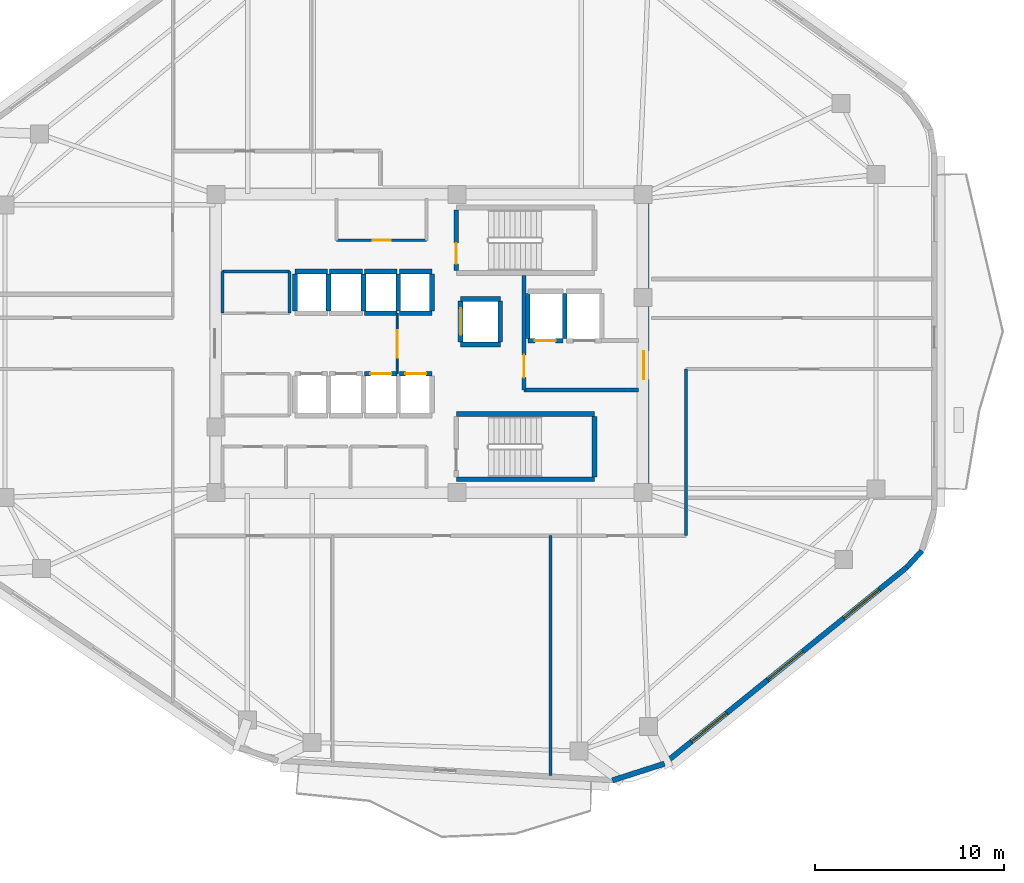
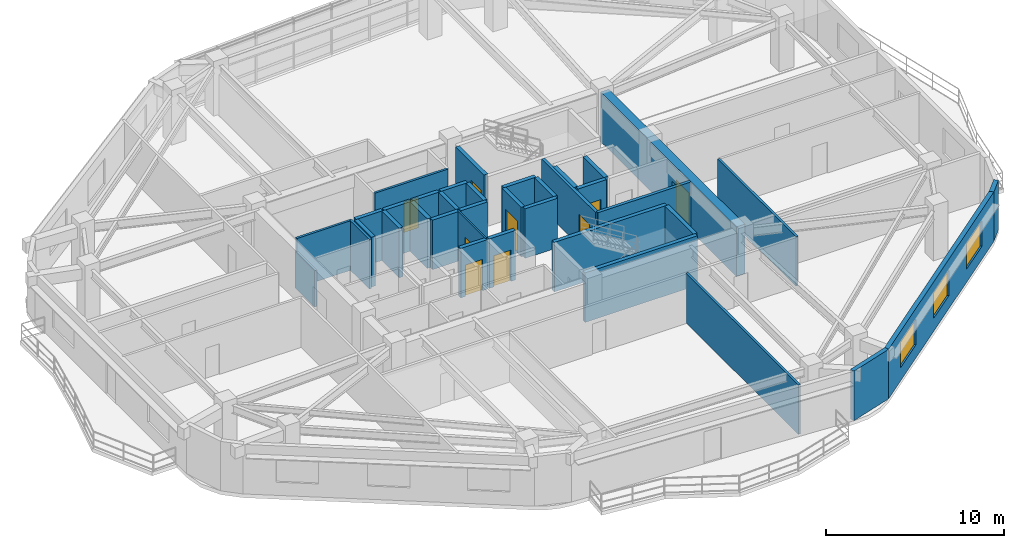
# One storey, part 9 of 14: 37 walls, 9 doors, 3 windows, 12 openings.
"""IFC4 building model written with IfcOpenShell, lengths in metres."""

import ifcopenshell
import ifcopenshell.guid

model = None  # the IFC model being written
_history = None  # IfcOwnerHistory: only IFC2X3 demands one
_inside = {}  # id of a spatial element -> (the spatial element, [elements in it])
_under = {}  # id of a project, library or spatial element -> (it, [spatial elements below it])
_declared = {}  # id of a project -> (the project, [libraries it declares])
_typed = {}  # id of a type object -> (the type object, [elements of that type])
_made_of = {}  # id of a material, layer set ... -> (it, [elements and type objects made of it])


def new_model(schema):
    """Start an empty IFC model of exactly this schema.

    Asked for "IFC4X3", IfcOpenShell would pick the latest addendum, in which some entities
    have other attributes; the version numbers below select the first issue.
    IFC2X3 requires an IfcOwnerHistory on every rooted entity: one is made here for all.
    """
    global model, _history
    if schema == "IFC4X3":
        model = ifcopenshell.file(schema_version=(4, 3, 0, 0))
    else:
        model = ifcopenshell.file(schema=schema)
    _inside.clear()
    _under.clear()
    _declared.clear()
    _typed.clear()
    _made_of.clear()
    _history = None
    if model.schema == "IFC2X3":
        org = make("IfcOrganization", Name="unknown")
        user = make(
            "IfcPersonAndOrganization",
            ThePerson=make("IfcPerson", FamilyName="unknown"),
            TheOrganization=org,
        )
        app = make(
            "IfcApplication",
            ApplicationDeveloper=org,
            Version="unknown",
            ApplicationFullName="unknown",
            ApplicationIdentifier="unknown",
        )
        _history = make(
            "IfcOwnerHistory",
            OwningUser=user,
            OwningApplication=app,
            ChangeAction="ADDED",
            CreationDate=0,
        )
    return model


def make(cls, **values):
    """One entity of the class cls with the attributes given. An attribute that is None is left unset."""
    return model.create_entity(
        cls, **{name: value for name, value in values.items() if value is not None}
    )


def rooted(cls, **values):
    """An entity with a GlobalId (a new one), such as an element, a storey or a relation."""
    return make(cls, GlobalId=ifcopenshell.guid.new(), OwnerHistory=_history, **values)


def si_unit(unit_type, name, prefix=None):
    """IfcSIUnit, for example si_unit("LENGTHUNIT", "METRE", prefix="MILLI")."""
    return make("IfcSIUnit", UnitType=unit_type, Prefix=prefix, Name=name)


def assignment(units):
    """IfcUnitAssignment: the units of a project."""
    return None if units is None else make("IfcUnitAssignment", Units=units)


def point(xyz):
    """IfcCartesianPoint."""
    return None if xyz is None else make("IfcCartesianPoint", Coordinates=xyz)


def direction(xyz):
    """IfcDirection."""
    return None if xyz is None else make("IfcDirection", DirectionRatios=xyz)


def frame(location, z_axis=None, x_axis=None):
    """IfcAxis2Placement3D, a coordinate frame: its origin and axes. An axis left out is left unset."""
    return make(
        "IfcAxis2Placement3D",
        Location=point(location),
        Axis=direction(z_axis),
        RefDirection=direction(x_axis),
    )


def frame_2d(location, x_axis=None):
    """IfcAxis2Placement2D, a coordinate frame in the plane: its origin and x axis."""
    return make(
        "IfcAxis2Placement2D", Location=point(location), RefDirection=direction(x_axis)
    )


def origin():
    """The frame at (0, 0, 0) with its axes left unset."""
    return frame((0.0, 0.0, 0.0))


def place(relative_to, where):
    """IfcLocalPlacement: puts the frame where relative to a parent placement (None: the world)."""
    return make(
        "IfcLocalPlacement", PlacementRelTo=relative_to, RelativePlacement=where
    )


def context(
    kind, dimensions, precision=None, world=None, true_north=None, identifier=None
):
    """IfcGeometricRepresentationContext, for example the 3D "Model" context."""
    return make(
        "IfcGeometricRepresentationContext",
        ContextIdentifier=identifier,
        ContextType=kind,
        CoordinateSpaceDimension=dimensions,
        Precision=precision,
        WorldCoordinateSystem=world,
        TrueNorth=true_north,
    )


def subcontext(parent, identifier, kind, view, scale=None):
    """IfcGeometricRepresentationSubContext, for example "Body" below "Model"."""
    return make(
        "IfcGeometricRepresentationSubContext",
        ContextIdentifier=identifier,
        ContextType=kind,
        ParentContext=parent,
        TargetScale=scale,
        TargetView=view,
    )


def project(units=None, contexts=None):
    """IfcProject with its units and contexts."""
    return rooted(
        "IfcProject",
        Name="project",
        RepresentationContexts=contexts,
        UnitsInContext=assignment(units),
    )


def spatial(cls, under=None, at=None, **own):
    """A site, building, storey or space (cls), placed at a placement, below another one or the project."""
    s = rooted(cls, ObjectPlacement=at, **own)
    if under is not None:
        _under.setdefault(under.id(), (under, []))[1].append(s)
    return s


def profile(cls, at=None, kind="AREA", **sizes):
    """A parametric profile (cls). Its sizes go by their IFC names, for example OverallWidth=200.0."""
    return make(cls, ProfileType=kind, Position=at, **sizes)


def rectangle(**sizes):
    """IfcRectangleProfileDef."""
    return profile("IfcRectangleProfileDef", **sizes)


def extrude(swept, where, along, depth):
    """IfcExtrudedAreaSolid: the profile swept, set in the frame where, extruded along a direction by depth."""
    return make(
        "IfcExtrudedAreaSolid",
        SweptArea=swept,
        Position=where,
        ExtrudedDirection=direction(along),
        Depth=depth,
    )


def shape(context_of_items, identifier, shape_type, items):
    """IfcShapeRepresentation: the items that make up one representation, for example the "Body"."""
    return make(
        "IfcShapeRepresentation",
        ContextOfItems=context_of_items,
        RepresentationIdentifier=identifier,
        RepresentationType=shape_type,
        Items=items,
    )


def material(Name=None, Category=None):
    """IfcMaterial."""
    return make("IfcMaterial", Name=Name, Category=Category)


def layer(
    of_material, thickness, ventilated=None, Name=None, Category=None, Priority=None
):
    """IfcMaterialLayer: one layer of a wall or slab, of a material (None: an air gap)."""
    return make(
        "IfcMaterialLayer",
        Material=of_material,
        LayerThickness=thickness,
        IsVentilated=ventilated,
        Name=Name,
        Category=Category,
        Priority=Priority,
    )


def layer_set(layers, Name=None):
    """IfcMaterialLayerSet."""
    return make("IfcMaterialLayerSet", MaterialLayers=layers, LayerSetName=Name)


def made_of(thing, what):
    """Note that an element or type object is made of a material, layer set ...; save() writes the relation."""
    if what is not None:
        _made_of.setdefault(what.id(), (what, []))[1].append(thing)
    return thing


def type_object(cls, material=None, **own):
    """A type object (cls), such as IfcWallType, which elements share."""
    return made_of(rooted(cls, **own), material)


def element(
    cls,
    number,
    at=None,
    inside=None,
    cuts=None,
    type_object=None,
    material=None,
    context=None,
    identifier="Body",
    shape_type=None,
    held_by="IfcProductDefinitionShape",
    body=None,
    shapes=None,
    **own,
):
    """One element of the class cls, such as IfcWall. Its Tag is "e" and its number.

    at: its placement. inside: the storey or other place that contains it. cuts: it is an
    opening in that element (IfcRelVoidsElement). A single representation is given by context,
    identifier, shape_type and body (its items); several are given by shapes. held_by: the class
    of the entity that holds the representations. save() writes the other relations.
    """
    e = rooted(cls, Tag="e%d" % number, ObjectPlacement=at, **own)
    if body is not None:
        shapes = [shape(context, identifier, shape_type, body)]
    if shapes is not None:
        e.Representation = make(held_by, Representations=shapes)
    if inside is not None:
        _inside.setdefault(inside.id(), (inside, []))[1].append(e)
    if cuts is not None:
        rooted(
            "IfcRelVoidsElement", RelatingBuildingElement=cuts, RelatedOpeningElement=e
        )
    if type_object is not None:
        _typed.setdefault(type_object.id(), (type_object, []))[1].append(e)
    return made_of(e, material)


def fill(opening, filler):
    """IfcRelFillsElement: the door or window that sits in an opening."""
    return rooted(
        "IfcRelFillsElement",
        RelatingOpeningElement=opening,
        RelatedBuildingElement=filler,
    )


def aggregate(whole, parts):
    """IfcRelAggregates: a whole, such as a stair, and the parts it consists of."""
    return rooted("IfcRelAggregates", RelatingObject=whole, RelatedObjects=parts)


def save(model, path):
    """Write the relations noted so far, then the file.

    IfcRelAggregates (storeys below a building ...), IfcRelContainedInSpatialStructure (elements
    in a storey), IfcRelDefinesByType, IfcRelAssociatesMaterial and IfcRelDeclares: one each for
    every whole, place, type object, material and project.
    """
    for whole, parts in _under.values():
        aggregate(whole, parts)
    for where, things in _inside.values():
        rooted(
            "IfcRelContainedInSpatialStructure",
            RelatedElements=things,
            RelatingStructure=where,
        )
    for kind, things in _typed.values():
        rooted("IfcRelDefinesByType", RelatedObjects=things, RelatingType=kind)
    for what, things in _made_of.values():
        rooted("IfcRelAssociatesMaterial", RelatedObjects=things, RelatingMaterial=what)
    for by, libraries in _declared.values():
        rooted("IfcRelDeclares", RelatingContext=by, RelatedDefinitions=libraries)
    model.write(path)


model = new_model("IFC4")

# Units and contexts
model_context = context("Model", 3, precision=1e-05, world=origin(), true_north=direction((0.0, 1.0)))
body_context = subcontext(model_context, "Body", "Model", "MODEL_VIEW")
ifc_project = project(units=[si_unit("LENGTHUNIT", "METRE"), si_unit("AREAUNIT", "SQUARE_METRE"), si_unit("VOLUMEUNIT", "CUBIC_METRE"), si_unit("PLANEANGLEUNIT", "RADIAN"), si_unit("MASSUNIT", "GRAM", prefix="KILO")], contexts=[model_context])

# Site, building, storey
site_placement = place(None, origin())
site = spatial("IfcSite", under=ifc_project, at=site_placement, CompositionType="ELEMENT")
building_placement = place(site_placement, origin())
building = spatial("IfcBuilding", under=site, at=building_placement, Name="Zulverin Broadcast Headquarters", CompositionType="ELEMENT")
storey_placement = place(building_placement, frame((0.0, 0.0, 216.199951171875)))
storey = spatial("IfcBuildingStorey", under=building, at=storey_placement, Name="L55", CompositionType="ELEMENT", Elevation=216.199951171875)

# Wall, opening, door
ifc_material_1 = material(Name="Concrete C60/75", Category="concrete")
ifc_layer_1 = layer(ifc_material_1, 0.550048828125, Name="Concrete C60/75", Category="concrete")
ifc_layer_set_1 = layer_set([ifc_layer_1], Name="Concrete C60/75")
wall_type_1 = type_object("IfcWallType", Name="WL-CORE-550", PredefinedType="SHEAR", material=ifc_layer_set_1)
wall_1_placement = place(storey_placement, frame((48.324951171875, 17.550048828125, 0.0), z_axis=(0.0, 0.0, 1.0), x_axis=(0.0, 1.0, 0.0)))
wall_1 = element("IfcWall", 1, at=wall_1_placement, inside=storey, type_object=wall_type_1, Name="L55 Core East Shear Wall", PredefinedType="SHEAR", context=body_context, shape_type="SweptSolid", body=[
    extrude(rectangle(XDim=15.300048828125, YDim=0.550048828125, at=frame_2d((7.64990234375, 0.0))), origin(), (0.0, 0.0, 1.0), 3.400146484375),
])
opening_1_placement = place(wall_1_placement, frame((5.75, 0.0, 0.0)))
opening_1 = element("IfcOpeningElement", 2, at=opening_1_placement, cuts=wall_1, Name="Opening D-L55-CE1", PredefinedType="OPENING", context=body_context, shape_type="SweptSolid", body=[
    extrude(rectangle(XDim=1.5, YDim=2.14990234375, at=frame_2d((0.75, 1.074951171875))), frame((0.0, 0.284912109375, 0.0), z_axis=(0.0, -1.0, 0.0), x_axis=(1.0, 0.0, 0.0)), (0.0, 0.0, 1.0), 0.570068359375),
])
ifc_material_2 = material(Name="Fire-rated glazed steel frame", Category="steel")
door_type_1 = type_object("IfcDoorType", Name="DR-COR-1500", OperationType="DOUBLE_DOOR_SINGLE_SWING", PredefinedType="DOOR", material=ifc_material_2)
door_1_placement = place(opening_1_placement, origin())
door_1 = element("IfcDoor", 3, at=door_1_placement, inside=storey, type_object=door_type_1, Name="L55 Firefighting Lobby East Corridor Door", OperationType="DOUBLE_DOOR_SINGLE_SWING", OverallHeight=2.14990234375, OverallWidth=1.5, PredefinedType="DOOR", context=body_context, shape_type="SweptSolid", body=[
    extrude(rectangle(XDim=1.5, YDim=2.14990234375, at=frame_2d((0.75, 1.074951171875))), frame((0.0, 0.02490234375, 0.0), z_axis=(0.0, -1.0, 0.0), x_axis=(1.0, 0.0, 0.0)), (0.0, 0.0, 1.0), 0.050048828125),
])
fill(opening_1, door_1)

# Wall, openings, windows
ifc_material_3 = material(Name="Insulated pale-metal clad concrete spandrel C40/50", Category="concrete")
ifc_layer_2 = layer(ifc_material_3, 0.280029296875, Name="Insulated pale-metal clad concrete spandrel C40/50", Category="concrete")
ifc_layer_set_2 = layer_set([ifc_layer_2], Name="Insulated pale-metal clad concrete spandrel C40/50")
wall_type_2 = type_object("IfcWallType", Name="WL-EXT-280", PredefinedType="STANDARD", material=ifc_layer_set_2)
wall_2_placement = place(storey_placement, frame((49.372314453125, 2.98388671875, 0.0), z_axis=(0.0, 0.0, 1.0), x_axis=(0.777278899851, 0.629156190343, 0.0)))
wall_2 = element("IfcWall", 4, at=wall_2_placement, inside=storey, type_object=wall_type_2, Name="L55 Pale-Metal Clad Spandrel Wall 2", PredefinedType="STANDARD", context=body_context, shape_type="SweptSolid", body=[
    extrude(rectangle(XDim=16.5400390625, YDim=0.280029296875, at=frame_2d((8.27001953125, 0.0))), origin(), (0.0, 0.0, 1.0), 3.400146484375),
])
opening_2_placement = place(wall_2_placement, frame((1.889892578125, 0.0, 0.89990234375)))
opening_2 = element("IfcOpeningElement", 5, at=opening_2_placement, cuts=wall_2, Name="Opening W-L55-E21", PredefinedType="OPENING", context=body_context, shape_type="SweptSolid", body=[
    extrude(rectangle(XDim=2.39990234375, YDim=1.75, at=frame_2d((1.199951171875, 0.875))), frame((0.0, 0.14990234375, 0.0), z_axis=(0.0, -1.0, 0.0), x_axis=(1.0, 0.0, 0.0)), (0.0, 0.0, 1.0), 0.300048828125),
])
opening_3_placement = place(wall_2_placement, frame((7.070068359375, 0.0, 0.89990234375)))
opening_3 = element("IfcOpeningElement", 6, at=opening_3_placement, cuts=wall_2, Name="Opening W-L55-E22", PredefinedType="OPENING", context=body_context, shape_type="SweptSolid", body=[
    extrude(rectangle(XDim=2.39990234375, YDim=1.75, at=frame_2d((1.199951171875, 0.875))), frame((0.0, 0.14990234375, 0.0), z_axis=(0.0, -1.0, 0.0), x_axis=(1.0, 0.0, 0.0)), (0.0, 0.0, 1.0), 0.300048828125),
])
opening_4_placement = place(wall_2_placement, frame((12.25, 0.0, 0.89990234375)))
opening_4 = element("IfcOpeningElement", 7, at=opening_4_placement, cuts=wall_2, Name="Opening W-L55-E23", PredefinedType="OPENING", context=body_context, shape_type="SweptSolid", body=[
    extrude(rectangle(XDim=2.39990234375, YDim=1.75, at=frame_2d((1.199951171875, 0.875))), frame((0.0, 0.14990234375, 0.0), z_axis=(0.0, -1.0, 0.0), x_axis=(1.0, 0.0, 0.0)), (0.0, 0.0, 1.0), 0.300048828125),
])
ifc_material_4 = material(Name="Pale anodized aluminium frame with solar-control low-E double glazing", Category="aluminium")
window_type = type_object("IfcWindowType", Name="WIN-RIB-2400", PartitioningType="SINGLE_PANEL", PredefinedType="WINDOW", material=ifc_material_4)
window_1_placement = place(opening_2_placement, origin())
window_1 = element("IfcWindow", 8, at=window_1_placement, inside=storey, type_object=window_type, Name="L55 Ribbon Glazing Window 2 1", OverallHeight=1.75, OverallWidth=2.39990234375, PartitioningType="SINGLE_PANEL", PredefinedType="WINDOW", context=body_context, shape_type="SweptSolid", body=[
    extrude(rectangle(XDim=2.39990234375, YDim=1.75, at=frame_2d((1.199951171875, 0.875))), frame((0.0, 0.030029296875, 0.0), z_axis=(0.0, -1.0, 0.0), x_axis=(1.0, 0.0, 0.0)), (0.0, 0.0, 1.0), 0.06005859375),
])
fill(opening_2, window_1)
window_2_placement = place(opening_3_placement, origin())
window_2 = element("IfcWindow", 9, at=window_2_placement, inside=storey, type_object=window_type, Name="L55 Ribbon Glazing Window 2 2", OverallHeight=1.75, OverallWidth=2.39990234375, PartitioningType="SINGLE_PANEL", PredefinedType="WINDOW", context=body_context, shape_type="SweptSolid", body=[
    extrude(rectangle(XDim=2.39990234375, YDim=1.75, at=frame_2d((1.199951171875, 0.875))), frame((0.0, 0.030029296875, 0.0), z_axis=(0.0, -1.0, 0.0), x_axis=(1.0, 0.0, 0.0)), (0.0, 0.0, 1.0), 0.06005859375),
])
fill(opening_3, window_2)
window_3_placement = place(opening_4_placement, origin())
window_3 = element("IfcWindow", 10, at=window_3_placement, inside=storey, type_object=window_type, Name="L55 Ribbon Glazing Window 2 3", OverallHeight=1.75, OverallWidth=2.39990234375, PartitioningType="SINGLE_PANEL", PredefinedType="WINDOW", context=body_context, shape_type="SweptSolid", body=[
    extrude(rectangle(XDim=2.39990234375, YDim=1.75, at=frame_2d((1.199951171875, 0.875))), frame((0.0, 0.030029296875, 0.0), z_axis=(0.0, -1.0, 0.0), x_axis=(1.0, 0.0, 0.0)), (0.0, 0.0, 1.0), 0.06005859375),
])
fill(opening_4, window_3)

# Walls
wall_3_placement = place(storey_placement, frame((46.666259765625, 2.124267578125, 0.0), z_axis=(0.0, 0.0, 1.0), x_axis=(0.952065470694, 0.305894327363, 0.0)))
element("IfcWall", 11, at=wall_3_placement, inside=storey, type_object=wall_type_2, Name="L55 Wind-Shaped Corner Spandrel Wall 1-1", PredefinedType="STANDARD", context=body_context, shape_type="SweptSolid", body=[
    extrude(rectangle(XDim=2.889892578125, YDim=0.280029296875, at=frame_2d((1.44482421875, 0.0))), origin(), (0.0, 0.0, 1.0), 3.400146484375),
])
wall_4_placement = place(storey_placement, frame((62.21337890625, 13.3759765625, 0.0), z_axis=(0.0, 0.0, 1.0), x_axis=(0.675790054291, 0.737094161232, 0.0)))
element("IfcWall", 12, at=wall_4_placement, inside=storey, type_object=wall_type_2, Name="L55 Wind-Shaped Corner Spandrel Wall 2-1", PredefinedType="STANDARD", context=body_context, shape_type="SweptSolid", body=[
    extrude(rectangle(XDim=1.182861328125, YDim=0.280029296875, at=frame_2d((0.59130859375, 0.0))), origin(), (0.0, 0.0, 1.0), 3.400146484375),
])

# Wall, opening, door
ifc_material_5 = material(Name="Concrete C40/50", Category="concrete")
ifc_layer_3 = layer(ifc_material_5, 0.199951171875, Name="Concrete C40/50", Category="concrete")
ifc_layer_set_3 = layer_set([ifc_layer_3], Name="Concrete C40/50")
wall_type_3 = type_object("IfcWallType", Name="WL-FFL-200", PredefinedType="SOLIDWALL", material=ifc_layer_set_3)
wall_5_placement = place(storey_placement, frame((42.0, 22.75, 0.0), z_axis=(0.0, 0.0, 1.0), x_axis=(0.0, 1.0, 0.0)))
wall_5 = element("IfcWall", 13, at=wall_5_placement, inside=storey, type_object=wall_type_3, Name="L55 Firefighting Lift Lobby West Wall", PredefinedType="SOLIDWALL", context=body_context, shape_type="SweptSolid", body=[
    extrude(rectangle(XDim=6.050048828125, YDim=0.199951171875, at=frame_2d((3.02490234375, 0.0))), origin(), (0.0, 0.0, 1.0), 3.400146484375),
])
opening_5_placement = place(wall_5_placement, frame((0.64990234375, 0.0, 0.0)))
opening_5 = element("IfcOpeningElement", 14, at=opening_5_placement, cuts=wall_5, Name="Opening D-L55-FFLW", PredefinedType="OPENING", context=body_context, shape_type="SweptSolid", body=[
    extrude(rectangle(XDim=1.199951171875, YDim=2.14990234375, at=frame_2d((0.60009765625, 1.074951171875))), frame((0.0, 0.10986328125, 0.0), z_axis=(0.0, -1.0, 0.0), x_axis=(1.0, 0.0, 0.0)), (0.0, 0.0, 1.0), 0.219970703125),
])
ifc_material_6 = material(Name="Fire-rated steel leaf and frame", Category="steel")
door_type_2 = type_object("IfcDoorType", Name="DR-FFL-1200", OperationType="SINGLE_SWING_RIGHT", PredefinedType="DOOR", material=ifc_material_6)
door_2_placement = place(opening_5_placement, origin())
door_2 = element("IfcDoor", 15, at=door_2_placement, inside=storey, type_object=door_type_2, Name="L55 Firefighting Lift Lobby Door", OperationType="SINGLE_SWING_RIGHT", OverallHeight=2.14990234375, OverallWidth=1.199951171875, PredefinedType="DOOR", context=body_context, shape_type="SweptSolid", body=[
    extrude(rectangle(XDim=1.199951171875, YDim=2.14990234375, at=frame_2d((0.60009765625, 1.074951171875))), frame((0.0, 0.02490234375, 0.0), z_axis=(0.0, -1.0, 0.0), x_axis=(1.0, 0.0, 0.0)), (0.0, 0.0, 1.0), 0.050048828125),
])
fill(opening_5, door_2)

# Wall
wall_6_placement = place(storey_placement, frame((42.0, 22.75, 0.0), z_axis=(0.0, 0.0, 1.0), x_axis=(1.0, 0.0, 0.0)))
element("IfcWall", 16, at=wall_6_placement, inside=storey, type_object=wall_type_3, Name="L55 Firefighting Lift Lobby South Wall", PredefinedType="SOLIDWALL", context=body_context, shape_type="SweptSolid", body=[
    extrude(rectangle(XDim=6.050048828125, YDim=0.199951171875, at=frame_2d((3.02490234375, 0.0))), origin(), (0.0, 0.0, 1.0), 3.400146484375),
])

# Wall, opening, door
ifc_material_7 = material(Name="Fire-rated acoustic laminated glass screen", Category="glass")
ifc_layer_4 = layer(ifc_material_7, 0.10009765625, Name="Fire-rated acoustic laminated glass screen", Category="glass")
ifc_layer_set_4 = layer_set([ifc_layer_4], Name="Fire-rated acoustic laminated glass screen")
wall_type_4 = type_object("IfcWallType", Name="WL-GLAZ-100", PredefinedType="PARTITIONING", material=ifc_layer_set_4)
wall_7_placement = place(storey_placement, frame((35.300048828125, 23.60009765625, 0.0), z_axis=(0.0, 0.0, 1.0), x_axis=(0.0, 1.0, 0.0)))
wall_7 = element("IfcWall", 17, at=wall_7_placement, inside=storey, type_object=wall_type_4, Name="L55 Central Core Smoke Vestibule Screen", PredefinedType="PARTITIONING", context=body_context, shape_type="SweptSolid", body=[
    extrude(rectangle(XDim=3.199951171875, YDim=0.10009765625, at=frame_2d((1.60009765625, 0.0))), origin(), (0.0, 0.0, 1.0), 3.400146484375),
])
opening_6_placement = place(wall_7_placement, frame((0.85009765625, 0.0, 0.0)))
opening_6 = element("IfcOpeningElement", 18, at=opening_6_placement, cuts=wall_7, Name="Opening D-L55-CL2", PredefinedType="OPENING", context=body_context, shape_type="SweptSolid", body=[
    extrude(rectangle(XDim=1.449951171875, YDim=2.1201171875, at=frame_2d((0.72509765625, 1.06005859375))), frame((0.0, 0.06005859375, 0.0), z_axis=(0.0, -1.0, 0.0), x_axis=(1.0, 0.0, 0.0)), (0.0, 0.0, 1.0), 0.1201171875),
])
ifc_material_8 = material(Name="Fire-rated acoustic glazed double leaf", Category="glass")
door_type_3 = type_object("IfcDoorType", Name="DR-GLZ-1450", OperationType="DOUBLE_DOOR_SINGLE_SWING", PredefinedType="DOOR", material=ifc_material_8)
door_3_placement = place(opening_6_placement, origin())
door_3 = element("IfcDoor", 19, at=door_3_placement, inside=storey, type_object=door_type_3, Name="L55 Central Core Smoke Vestibule Door", OperationType="DOUBLE_DOOR_SINGLE_SWING", OverallHeight=2.1201171875, OverallWidth=1.449951171875, PredefinedType="DOOR", context=body_context, shape_type="SweptSolid", body=[
    extrude(rectangle(XDim=1.449951171875, YDim=2.1201171875, at=frame_2d((0.72509765625, 1.06005859375))), frame((0.0, 0.02490234375, 0.0), z_axis=(0.0, -1.0, 0.0), x_axis=(1.0, 0.0, 0.0)), (0.0, 0.0, 1.0), 0.050048828125),
])
fill(opening_6, door_3)

ifc_material_9 = material(Name="Fire-rated gypsum stud partition", Category="gypsum")
ifc_layer_5 = layer(ifc_material_9, 0.14990234375, Name="Fire-rated gypsum stud partition", Category="gypsum")
ifc_layer_set_5 = layer_set([ifc_layer_5], Name="Fire-rated gypsum stud partition")
wall_type_5 = type_object("IfcWallType", Name="WL-PART-150", PredefinedType="PARTITIONING", material=ifc_layer_set_5)
wall_8_placement = place(storey_placement, frame((32.10009765625, 30.64990234375, 0.0), z_axis=(0.0, 0.0, 1.0), x_axis=(1.0, 0.0, 0.0)))
wall_8 = element("IfcWall", 20, at=wall_8_placement, inside=storey, type_object=wall_type_5, Name="L55 Core Accessible WC & Electrical Riser Front Wall", PredefinedType="PARTITIONING", context=body_context, shape_type="SweptSolid", body=[
    extrude(rectangle(XDim=4.75, YDim=0.14990234375, at=frame_2d((2.375, 0.0))), origin(), (0.0, 0.0, 1.0), 3.400146484375),
])
opening_7_placement = place(wall_8_placement, frame((1.89990234375, 0.0, 0.0)))
opening_7 = element("IfcOpeningElement", 21, at=opening_7_placement, cuts=wall_8, Name="Opening D-L55-NC1", PredefinedType="OPENING", context=body_context, shape_type="SweptSolid", body=[
    extrude(rectangle(XDim=0.949951171875, YDim=2.10009765625, at=frame_2d((0.47509765625, 1.050048828125))), frame((0.0, 0.0849609375, 0.0), z_axis=(0.0, -1.0, 0.0), x_axis=(1.0, 0.0, 0.0)), (0.0, 0.0, 1.0), 0.169921875),
])
ifc_material_10 = material(Name="Fire-rated moisture-resistant laminate leaf", Category="wood")
door_type_4 = type_object("IfcDoorType", Name="DR-WC-950", OperationType="SINGLE_SWING_LEFT", PredefinedType="DOOR", material=ifc_material_10)
door_4_placement = place(opening_7_placement, origin())
door_4 = element("IfcDoor", 22, at=door_4_placement, inside=storey, type_object=door_type_4, Name="L55 Accessible WC & Electrical Riser Door", OperationType="SINGLE_SWING_LEFT", OverallHeight=2.10009765625, OverallWidth=0.949951171875, PredefinedType="DOOR", context=body_context, shape_type="SweptSolid", body=[
    extrude(rectangle(XDim=0.949951171875, YDim=2.10009765625, at=frame_2d((0.47509765625, 1.050048828125))), frame((0.0, 0.02490234375, 0.0), z_axis=(0.0, -1.0, 0.0), x_axis=(1.0, 0.0, 0.0)), (0.0, 0.0, 1.0), 0.050048828125),
])
fill(opening_7, door_4)

# Walls
wall_9_placement = place(storey_placement, frame((26.070068359375, 29.0, 0.0), z_axis=(0.0, 0.0, 1.0), x_axis=(1.0, 0.0, 0.0)))
element("IfcWall", 23, at=wall_9_placement, inside=storey, type_object=wall_type_5, Name="L55 Broadcast Signal Patch Room N Wall", PredefinedType="PARTITIONING", context=body_context, shape_type="SweptSolid", body=[
    extrude(rectangle(XDim=3.550048828125, YDim=0.14990234375, at=frame_2d((1.77490234375, 0.0))), origin(), (0.0, 0.0, 1.0), 3.400146484375),
])
wall_10_placement = place(storey_placement, frame((26.070068359375, 26.800048828125, 0.0), z_axis=(0.0, 0.0, 1.0), x_axis=(0.0, 1.0, 0.0)))
element("IfcWall", 24, at=wall_10_placement, inside=storey, type_object=wall_type_5, Name="L55 Broadcast Signal Patch Room W Wall", PredefinedType="PARTITIONING", context=body_context, shape_type="SweptSolid", body=[
    extrude(rectangle(XDim=2.199951171875, YDim=0.14990234375, at=frame_2d((1.10009765625, 0.0))), origin(), (0.0, 0.0, 1.0), 2.5),
])
wall_11_placement = place(storey_placement, frame((29.6201171875, 26.800048828125, 0.0), z_axis=(0.0, 0.0, 1.0), x_axis=(0.0, 1.0, 0.0)))
element("IfcWall", 25, at=wall_11_placement, inside=storey, type_object=wall_type_5, Name="L55 Broadcast Signal Patch Room E Wall", PredefinedType="PARTITIONING", context=body_context, shape_type="SweptSolid", body=[
    extrude(rectangle(XDim=2.199951171875, YDim=0.14990234375, at=frame_2d((1.10009765625, 0.0))), origin(), (0.0, 0.0, 1.0), 3.400146484375),
])
wall_12_placement = place(storey_placement, frame((50.550048828125, 15.050048828125, 0.0), z_axis=(0.0, 0.0, 1.0), x_axis=(0.0, 1.0, 0.0)))
element("IfcWall", 26, at=wall_12_placement, inside=storey, type_object=wall_type_5, Name="L55 Gallery Partition Wall CG-01", PredefinedType="PARTITIONING", context=body_context, shape_type="SweptSolid", body=[
    extrude(rectangle(XDim=8.800048828125, YDim=0.14990234375, at=frame_2d((4.39990234375, 0.0))), origin(), (0.0, 0.0, 1.0), 3.400146484375),
])
wall_13_placement = place(storey_placement, frame((43.39990234375, 2.390625, 0.0), z_axis=(0.0, 0.0, 1.0), x_axis=(0.0, 1.0, 0.0)))
element("IfcWall", 27, at=wall_13_placement, inside=storey, type_object=wall_type_5, Name="L55 Room Partition Wall RP-02", PredefinedType="PARTITIONING", context=body_context, shape_type="SweptSolid", body=[
    extrude(rectangle(XDim=12.659423828125, YDim=0.14990234375, at=frame_2d((6.32958984375, 0.0))), origin(), (0.0, 0.0, 1.0), 3.400146484375),
])

# Wall, opening, door
ifc_material_11 = material(Name="Concrete C50/60", Category="concrete")
ifc_layer_6 = layer(ifc_material_11, 0.25, Name="Concrete C50/60", Category="concrete")
ifc_layer_set_6 = layer_set([ifc_layer_6], Name="Concrete C50/60")
wall_type_6 = type_object("IfcWallType", Name="WL-SHAFT-250", PredefinedType="SHEAR", material=ifc_layer_set_6)
wall_14_placement = place(storey_placement, frame((38.425048828125, 29.050048828125, 0.0), z_axis=(0.0, 0.0, 1.0), x_axis=(0.0, 1.0, 0.0)))
wall_14 = element("IfcWall", 28, at=wall_14_placement, inside=storey, type_object=wall_type_6, Name="L55 ST-1 Enclosure Wall W", PredefinedType="SHEAR", context=body_context, shape_type="SweptSolid", body=[
    extrude(rectangle(XDim=3.199951171875, YDim=0.25, at=frame_2d((1.60009765625, 0.0))), origin(), (0.0, 0.0, 1.0), 3.400146484375),
])
opening_8_placement = place(wall_14_placement, frame((0.35009765625, 0.0, 0.0)))
opening_8 = element("IfcOpeningElement", 29, at=opening_8_placement, cuts=wall_14, Name="Opening D-L55-ST-1", PredefinedType="OPENING", context=body_context, shape_type="SweptSolid", body=[
    extrude(rectangle(XDim=1.10009765625, YDim=2.14990234375, at=frame_2d((0.550048828125, 1.074951171875))), frame((0.0, 0.135009765625, 0.0), z_axis=(0.0, -1.0, 0.0), x_axis=(1.0, 0.0, 0.0)), (0.0, 0.0, 1.0), 0.27001953125),
])
door_type_5 = type_object("IfcDoorType", Name="DR-STAIR-1100", OperationType="SINGLE_SWING_LEFT", PredefinedType="DOOR", material=ifc_material_6)
door_5_placement = place(opening_8_placement, origin())
door_5 = element("IfcDoor", 30, at=door_5_placement, inside=storey, type_object=door_type_5, Name="L55 Exit Stair ST-1 Fire Door", OperationType="SINGLE_SWING_LEFT", OverallHeight=2.14990234375, OverallWidth=1.10009765625, PredefinedType="DOOR", context=body_context, shape_type="SweptSolid", body=[
    extrude(rectangle(XDim=1.10009765625, YDim=2.14990234375, at=frame_2d((0.550048828125, 1.074951171875))), frame((0.0, 0.02490234375, 0.0), z_axis=(0.0, -1.0, 0.0), x_axis=(1.0, 0.0, 0.0)), (0.0, 0.0, 1.0), 0.050048828125),
])
fill(opening_8, door_5)

# Walls
for number, where, z_axis, x_axis, name in (
    (31, (38.425048828125, 18.02490234375, 0.0), (0.0, 0.0, 1.0), (1.0, 0.0, 0.0), "L55 ST-2 Enclosure Wall S"),
    (32, (38.425048828125, 21.47509765625, 0.0), (0.0, 0.0, 1.0), (1.0, 0.0, 0.0), "L55 ST-2 Enclosure Wall N"),
):
    element("IfcWall", number, at=place(storey_placement, frame(where, z_axis=z_axis, x_axis=x_axis)), inside=storey, type_object=wall_type_6, Name=name, PredefinedType="SHEAR", context=body_context, shape_type="SweptSolid", body=[
        extrude(rectangle(XDim=7.300048828125, YDim=0.25, at=frame_2d((3.64990234375, 0.0))), origin(), (0.0, 0.0, 1.0), 3.400146484375),
    ])
wall_15_placement = place(storey_placement, frame((45.72509765625, 18.14990234375, 0.0), z_axis=(0.0, 0.0, 1.0), x_axis=(0.0, 1.0, 0.0)))
element("IfcWall", 33, at=wall_15_placement, inside=storey, type_object=wall_type_6, Name="L55 ST-2 Enclosure Wall E", PredefinedType="SHEAR", context=body_context, shape_type="SweptSolid", body=[
    extrude(rectangle(XDim=3.2001953125, YDim=0.25, at=frame_2d((1.60009765625, 0.0))), origin(), (0.0, 0.0, 1.0), 3.400146484375),
])

# Wall, opening, door
wall_16_placement = place(storey_placement, frame((33.580078125, 23.60009765625, 0.0), z_axis=(0.0, 0.0, 1.0), x_axis=(1.0, 0.0, 0.0)))
wall_16 = element("IfcWall", 34, at=wall_16_placement, inside=storey, type_object=wall_type_6, Name="L55 Lift PL-M3 Shaft Wall N", PredefinedType="SHEAR", context=body_context, shape_type="SweptSolid", body=[
    extrude(rectangle(XDim=1.719970703125, YDim=0.25, at=frame_2d((0.85986328125, 0.0))), origin(), (0.0, 0.0, 1.0), 3.400146484375),
])
opening_9_placement = place(wall_16_placement, frame((0.31005859375, 0.0, 0.0)))
opening_9 = element("IfcOpeningElement", 35, at=opening_9_placement, cuts=wall_16, Name="Opening LD-PL-M3-L55", PredefinedType="OPENING", context=body_context, shape_type="SweptSolid", body=[
    extrude(rectangle(XDim=1.10009765625, YDim=2.14990234375, at=frame_2d((0.550048828125, 1.074951171875))), frame((0.0, 0.135009765625, 0.0), z_axis=(0.0, -1.0, 0.0), x_axis=(1.0, 0.0, 0.0)), (0.0, 0.0, 1.0), 0.27001953125),
])
ifc_material_12 = material(Name="Brushed stainless steel landing", Category="steel")
door_type_6 = type_object("IfcDoorType", Name="LD-PASS-1100", OperationType="DOUBLE_DOOR_SLIDING", PredefinedType="DOOR", material=ifc_material_12)
door_6_placement = place(opening_9_placement, origin())
door_6 = element("IfcDoor", 36, at=door_6_placement, inside=storey, type_object=door_type_6, Name="L55 Lift PL-M3 Sliding Landing Door", OperationType="DOUBLE_DOOR_SLIDING", OverallHeight=2.14990234375, OverallWidth=1.10009765625, PredefinedType="DOOR", context=body_context, shape_type="SweptSolid", body=[
    extrude(rectangle(XDim=1.10009765625, YDim=2.14990234375, at=frame_2d((0.550048828125, 1.074951171875))), frame((0.0, 0.02490234375, 0.0), z_axis=(0.0, -1.0, 0.0), x_axis=(1.0, 0.0, 0.0)), (0.0, 0.0, 1.0), 0.050048828125),
])
fill(opening_9, door_6)

wall_17_placement = place(storey_placement, frame((35.419921875, 23.60009765625, 0.0), z_axis=(0.0, 0.0, 1.0), x_axis=(1.0, 0.0, 0.0)))
wall_17 = element("IfcWall", 37, at=wall_17_placement, inside=storey, type_object=wall_type_6, Name="L55 Lift PL-M4 Shaft Wall N", PredefinedType="SHEAR", context=body_context, shape_type="SweptSolid", body=[
    extrude(rectangle(XDim=1.719970703125, YDim=0.25, at=frame_2d((0.85986328125, 0.0))), origin(), (0.0, 0.0, 1.0), 3.400146484375),
])
opening_10_placement = place(wall_17_placement, frame((0.31005859375, 0.0, 0.0)))
opening_10 = element("IfcOpeningElement", 38, at=opening_10_placement, cuts=wall_17, Name="Opening LD-PL-M4-L55", PredefinedType="OPENING", context=body_context, shape_type="SweptSolid", body=[
    extrude(rectangle(XDim=1.10009765625, YDim=2.14990234375, at=frame_2d((0.550048828125, 1.074951171875))), frame((0.0, 0.135009765625, 0.0), z_axis=(0.0, -1.0, 0.0), x_axis=(1.0, 0.0, 0.0)), (0.0, 0.0, 1.0), 0.27001953125),
])
door_7_placement = place(opening_10_placement, origin())
door_7 = element("IfcDoor", 39, at=door_7_placement, inside=storey, type_object=door_type_6, Name="L55 Lift PL-M4 Sliding Landing Door", OperationType="DOUBLE_DOOR_SLIDING", OverallHeight=2.14990234375, OverallWidth=1.10009765625, PredefinedType="DOOR", context=body_context, shape_type="SweptSolid", body=[
    extrude(rectangle(XDim=1.10009765625, YDim=2.14990234375, at=frame_2d((0.550048828125, 1.074951171875))), frame((0.0, 0.02490234375, 0.0), z_axis=(0.0, -1.0, 0.0), x_axis=(1.0, 0.0, 0.0)), (0.0, 0.0, 1.0), 0.050048828125),
])
fill(opening_10, door_7)

# Walls
wall_18_placement = place(storey_placement, frame((29.89990234375, 29.0, 0.0), z_axis=(0.0, 0.0, 1.0), x_axis=(1.0, 0.0, 0.0)))
element("IfcWall", 40, at=wall_18_placement, inside=storey, type_object=wall_type_6, Name="L55 Lift PL-H1 Shaft Wall N", PredefinedType="SHEAR", context=body_context, shape_type="SweptSolid", body=[
    extrude(rectangle(XDim=1.72021484375, YDim=0.25, at=frame_2d((0.860107421875, 0.0))), origin(), (0.0, 0.0, 1.0), 3.400146484375),
])
for number, where, z_axis, x_axis, name in (
    (41, (29.89990234375, 26.919921875, 0.0), (0.0, 0.0, 1.0), (0.0, 1.0, 0.0), "L55 Lift PL-H1 Shaft Wall W"),
    (42, (31.679931640625, 26.919921875, 0.0), (0.0, 0.0, 1.0), (0.0, 1.0, 0.0), "L55 Lift PL-H1 Shaft Wall E"),
):
    element("IfcWall", number, at=place(storey_placement, frame(where, z_axis=z_axis, x_axis=x_axis)), inside=storey, type_object=wall_type_6, Name=name, PredefinedType="SHEAR", context=body_context, shape_type="SweptSolid", body=[
        extrude(rectangle(XDim=1.9599609375, YDim=0.25, at=frame_2d((0.97998046875, 0.0))), origin(), (0.0, 0.0, 1.0), 3.400146484375),
    ])
wall_19_placement = place(storey_placement, frame((31.739990234375, 29.0, 0.0), z_axis=(0.0, 0.0, 1.0), x_axis=(1.0, 0.0, 0.0)))
element("IfcWall", 43, at=wall_19_placement, inside=storey, type_object=wall_type_6, Name="L55 Lift PL-H2 Shaft Wall N", PredefinedType="SHEAR", context=body_context, shape_type="SweptSolid", body=[
    extrude(rectangle(XDim=1.719970703125, YDim=0.25, at=frame_2d((0.85986328125, 0.0))), origin(), (0.0, 0.0, 1.0), 3.400146484375),
])
wall_20_placement = place(storey_placement, frame((33.52001953125, 26.919921875, 0.0), z_axis=(0.0, 0.0, 1.0), x_axis=(0.0, 1.0, 0.0)))
element("IfcWall", 44, at=wall_20_placement, inside=storey, type_object=wall_type_6, Name="L55 Lift PL-H2 Shaft Wall E", PredefinedType="SHEAR", context=body_context, shape_type="SweptSolid", body=[
    extrude(rectangle(XDim=1.9599609375, YDim=0.25, at=frame_2d((0.97998046875, 0.0))), origin(), (0.0, 0.0, 1.0), 3.400146484375),
])
for number, where, z_axis, x_axis, name in (
    (45, (33.580078125, 26.800048828125, 0.0), (0.0, 0.0, 1.0), (1.0, 0.0, 0.0), "L55 Lift PL-H3 Shaft Wall S"),
    (46, (33.580078125, 29.0, 0.0), (0.0, 0.0, 1.0), (1.0, 0.0, 0.0), "L55 Lift PL-H3 Shaft Wall N"),
):
    element("IfcWall", number, at=place(storey_placement, frame(where, z_axis=z_axis, x_axis=x_axis)), inside=storey, type_object=wall_type_6, Name=name, PredefinedType="SHEAR", context=body_context, shape_type="SweptSolid", body=[
        extrude(rectangle(XDim=1.719970703125, YDim=0.25, at=frame_2d((0.85986328125, 0.0))), origin(), (0.0, 0.0, 1.0), 3.400146484375),
    ])
wall_21_placement = place(storey_placement, frame((35.360107421875, 26.919921875, 0.0), z_axis=(0.0, 0.0, 1.0), x_axis=(0.0, 1.0, 0.0)))
element("IfcWall", 47, at=wall_21_placement, inside=storey, type_object=wall_type_6, Name="L55 Lift PL-H3 Shaft Wall E", PredefinedType="SHEAR", context=body_context, shape_type="SweptSolid", body=[
    extrude(rectangle(XDim=1.9599609375, YDim=0.25, at=frame_2d((0.97998046875, 0.0))), origin(), (0.0, 0.0, 1.0), 3.400146484375),
])
for number, where, z_axis, x_axis, name in (
    (48, (35.419921875, 26.800048828125, 0.0), (0.0, 0.0, 1.0), (1.0, 0.0, 0.0), "L55 Lift PL-H4 Shaft Wall S"),
    (49, (35.419921875, 29.0, 0.0), (0.0, 0.0, 1.0), (1.0, 0.0, 0.0), "L55 Lift PL-H4 Shaft Wall N"),
):
    element("IfcWall", number, at=place(storey_placement, frame(where, z_axis=z_axis, x_axis=x_axis)), inside=storey, type_object=wall_type_6, Name=name, PredefinedType="SHEAR", context=body_context, shape_type="SweptSolid", body=[
        extrude(rectangle(XDim=1.719970703125, YDim=0.25, at=frame_2d((0.85986328125, 0.0))), origin(), (0.0, 0.0, 1.0), 3.400146484375),
    ])
wall_22_placement = place(storey_placement, frame((37.139892578125, 26.919921875, 0.0), z_axis=(0.0, 0.0, 1.0), x_axis=(0.0, 1.0, 0.0)))
element("IfcWall", 50, at=wall_22_placement, inside=storey, type_object=wall_type_6, Name="L55 Lift PL-H4 Shaft Wall E", PredefinedType="SHEAR", context=body_context, shape_type="SweptSolid", body=[
    extrude(rectangle(XDim=1.9599609375, YDim=0.25, at=frame_2d((0.97998046875, 0.0))), origin(), (0.0, 0.0, 1.0), 3.400146484375),
])

# Wall, opening, door
wall_23_placement = place(storey_placement, frame((42.199951171875, 25.35009765625, 0.0), z_axis=(0.0, 0.0, 1.0), x_axis=(1.0, 0.0, 0.0)))
wall_23 = element("IfcWall", 51, at=wall_23_placement, inside=storey, type_object=wall_type_6, Name="L55 Lift FFL-1 Shaft Wall S", PredefinedType="SHEAR", context=body_context, shape_type="SweptSolid", body=[
    extrude(rectangle(XDim=1.85009765625, YDim=0.25, at=frame_2d((0.925048828125, 0.0))), origin(), (0.0, 0.0, 1.0), 3.400146484375),
])
opening_11_placement = place(wall_23_placement, frame((0.375, 0.0, 0.0)))
opening_11 = element("IfcOpeningElement", 52, at=opening_11_placement, cuts=wall_23, Name="Opening LD-FFL-1-L55", PredefinedType="OPENING", context=body_context, shape_type="SweptSolid", body=[
    extrude(rectangle(XDim=1.10009765625, YDim=2.14990234375, at=frame_2d((0.550048828125, 1.074951171875))), frame((0.0, 0.135009765625, 0.0), z_axis=(0.0, -1.0, 0.0), x_axis=(1.0, 0.0, 0.0)), (0.0, 0.0, 1.0), 0.27001953125),
])
ifc_material_13 = material(Name="Fire-rated stainless landing door", Category="steel")
door_type_7 = type_object("IfcDoorType", Name="LD-FFL-1100", OperationType="DOUBLE_DOOR_SLIDING", PredefinedType="DOOR", material=ifc_material_13)
door_8_placement = place(opening_11_placement, origin())
door_8 = element("IfcDoor", 53, at=door_8_placement, inside=storey, type_object=door_type_7, Name="L55 Lift FFL-1 Sliding Landing Door", OperationType="DOUBLE_DOOR_SLIDING", OverallHeight=2.14990234375, OverallWidth=1.10009765625, PredefinedType="DOOR", context=body_context, shape_type="SweptSolid", body=[
    extrude(rectangle(XDim=1.10009765625, YDim=2.14990234375, at=frame_2d((0.550048828125, 1.074951171875))), frame((0.0, 0.02490234375, 0.0), z_axis=(0.0, -1.0, 0.0), x_axis=(1.0, 0.0, 0.0)), (0.0, 0.0, 1.0), 0.050048828125),
])
fill(opening_11, door_8)

# Walls
for number, where, z_axis, x_axis, name in (
    (54, (42.199951171875, 25.469970703125, 0.0), (0.0, 0.0, 1.0), (0.0, 1.0, 0.0), "L55 Lift FFL-1 Shaft Wall W"),
    (55, (44.14990234375, 25.469970703125, 0.0), (0.0, 0.0, 1.0), (0.0, 1.0, 0.0), "L55 Lift FFL-1 Shaft Wall E"),
):
    element("IfcWall", number, at=place(storey_placement, frame(where, z_axis=z_axis, x_axis=x_axis)), inside=storey, type_object=wall_type_6, Name=name, PredefinedType="SHEAR", context=body_context, shape_type="SweptSolid", body=[
        extrude(rectangle(XDim=2.360107421875, YDim=0.25, at=frame_2d((1.18017578125, 0.0))), origin(), (0.0, 0.0, 1.0), 3.400146484375),
    ])
for number, where, z_axis, x_axis, name in (
    (56, (38.64990234375, 25.14990234375, 0.0), (0.0, 0.0, 1.0), (1.0, 0.0, 0.0), "L55 Lift SVL-1 Shaft Wall S"),
    (57, (38.64990234375, 27.550048828125, 0.0), (0.0, 0.0, 1.0), (1.0, 0.0, 0.0), "L55 Lift SVL-1 Shaft Wall N"),
):
    element("IfcWall", number, at=place(storey_placement, frame(where, z_axis=z_axis, x_axis=x_axis)), inside=storey, type_object=wall_type_6, Name=name, PredefinedType="SHEAR", context=body_context, shape_type="SweptSolid", body=[
        extrude(rectangle(XDim=2.10009765625, YDim=0.25, at=frame_2d((1.050048828125, 0.0))), origin(), (0.0, 0.0, 1.0), 3.400146484375),
    ])

# Wall, opening, door
wall_24_placement = place(storey_placement, frame((38.64990234375, 25.27001953125, 0.0), z_axis=(0.0, 0.0, 1.0), x_axis=(0.0, 1.0, 0.0)))
wall_24 = element("IfcWall", 58, at=wall_24_placement, inside=storey, type_object=wall_type_6, Name="L55 Lift SVL-1 Shaft Wall W", PredefinedType="SHEAR", context=body_context, shape_type="SweptSolid", body=[
    extrude(rectangle(XDim=2.159912109375, YDim=0.25, at=frame_2d((1.080078125, 0.0))), origin(), (0.0, 0.0, 1.0), 3.400146484375),
])
opening_12_placement = place(wall_24_placement, frame((0.3798828125, 0.0, 0.0)))
opening_12 = element("IfcOpeningElement", 59, at=opening_12_placement, cuts=wall_24, Name="Opening LD-SVL-1-L55", PredefinedType="OPENING", context=body_context, shape_type="SweptSolid", body=[
    extrude(rectangle(XDim=1.39990234375, YDim=2.199951171875, at=frame_2d((0.699951171875, 1.10009765625))), frame((0.0, 0.135009765625, 0.0), z_axis=(0.0, -1.0, 0.0), x_axis=(1.0, 0.0, 0.0)), (0.0, 0.0, 1.0), 0.27001953125),
])
ifc_material_14 = material(Name="Heavy-duty stainless landing door", Category="steel")
door_type_8 = type_object("IfcDoorType", Name="LD-GOODS-1400", OperationType="DOUBLE_DOOR_SLIDING", PredefinedType="DOOR", material=ifc_material_14)
door_9_placement = place(opening_12_placement, origin())
door_9 = element("IfcDoor", 60, at=door_9_placement, inside=storey, type_object=door_type_8, Name="L55 Lift SVL-1 Sliding Landing Door", OperationType="DOUBLE_DOOR_SLIDING", OverallHeight=2.199951171875, OverallWidth=1.39990234375, PredefinedType="DOOR", context=body_context, shape_type="SweptSolid", body=[
    extrude(rectangle(XDim=1.39990234375, YDim=2.199951171875, at=frame_2d((0.699951171875, 1.10009765625))), frame((0.0, 0.02490234375, 0.0), z_axis=(0.0, -1.0, 0.0), x_axis=(1.0, 0.0, 0.0)), (0.0, 0.0, 1.0), 0.050048828125),
])
fill(opening_12, door_9)

# Wall
wall_25_placement = place(storey_placement, frame((40.75, 25.27001953125, 0.0), z_axis=(0.0, 0.0, 1.0), x_axis=(0.0, 1.0, 0.0)))
element("IfcWall", 61, at=wall_25_placement, inside=storey, type_object=wall_type_6, Name="L55 Lift SVL-1 Shaft Wall E", PredefinedType="SHEAR", context=body_context, shape_type="SweptSolid", body=[
    extrude(rectangle(XDim=2.159912109375, YDim=0.25, at=frame_2d((1.080078125, 0.0))), origin(), (0.0, 0.0, 1.0), 3.400146484375),
])

save(model, "model.ifc")
